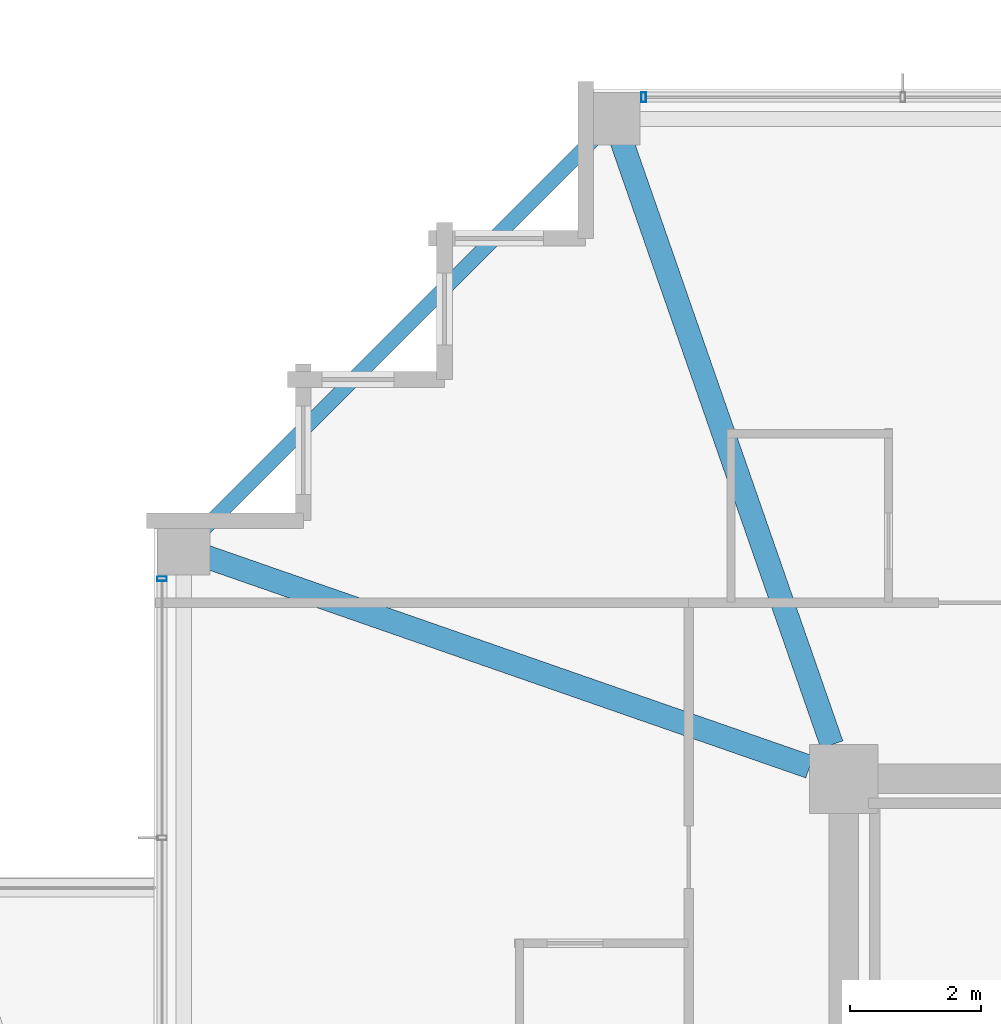
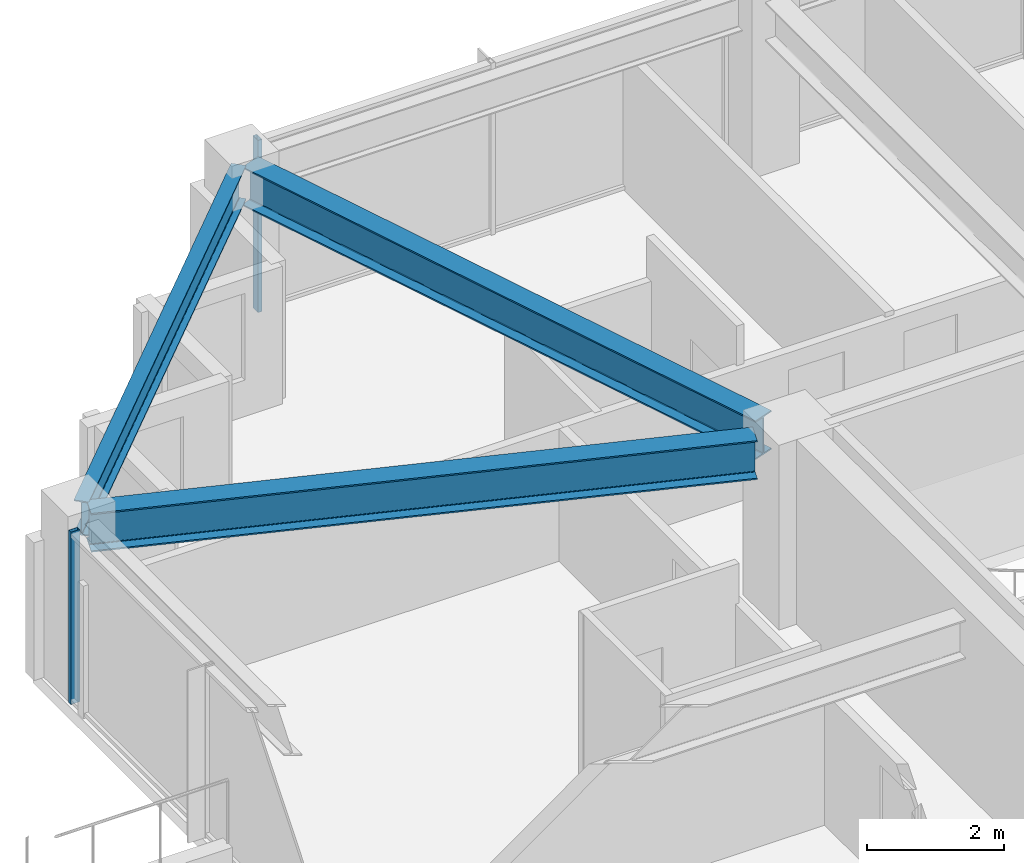
# One storey, part 17 of 35: 3 beams, 2 members, 2 elements without a shape of their own.
"""IFC4 building model written with IfcOpenShell, lengths in metres."""

from ifc_helpers import new_model, si_unit, direction, frame, origin, origin_2d, place, context, subcontext, project, spatial, hollow_rectangle, i_section, extrude, material, material_profile, profile_set, type_object, element, aggregate, save


model = new_model("IFC4")

# Units and contexts
model_context = context("Model", 3, precision=1e-05, world=origin(), true_north=direction((0.0, 1.0)))
body_context = subcontext(model_context, "Body", "Model", "MODEL_VIEW")
ifc_project = project(units=[si_unit("LENGTHUNIT", "METRE"), si_unit("AREAUNIT", "SQUARE_METRE"), si_unit("VOLUMEUNIT", "CUBIC_METRE"), si_unit("PLANEANGLEUNIT", "RADIAN"), si_unit("MASSUNIT", "GRAM", prefix="KILO")], contexts=[model_context])

# Site, building, storey
site_placement = place(None, origin())
site = spatial("IfcSite", under=ifc_project, at=site_placement, CompositionType="ELEMENT")
building_placement = place(site_placement, origin())
building = spatial("IfcBuilding", under=site, at=building_placement, Name="Kolvaren Belvedere", CompositionType="ELEMENT")
storey_placement = place(building_placement, frame((0.0, 0.0, 216.300048828125)))
storey = spatial("IfcBuildingStorey", under=building, at=storey_placement, Name="L63", CompositionType="ELEMENT", Elevation=216.300048828125)

# Beams
ifc_material_1 = material(Name="Structural steel ASTM A992 Grade 50", Category="steel")
ifc_material_profile_1 = material_profile(ifc_material_1, i_section(OverallWidth=0.35498046875, OverallDepth=0.696044921875, WebThickness=0.015380859375, FlangeThickness=0.02490234375, FilletRadius=0.02197265625, at=origin_2d()), Name="W27X146")
ifc_profile_set_1 = profile_set([ifc_material_profile_1], Name="Structural steel ASTM A992 Grade 50")
beam_type_1 = type_object("IfcBeamType", Name="BM-GIRD-W27X146", PredefinedType="BEAM", material=ifc_profile_set_1)
for number, where, z_axis, x_axis, name in (
    (1, (-10.080810546875, 10.41943359375, 2.73193359375), (-0.328898147971, 0.944365399758, 0.0), (-0.944365399758, -0.328898147971, 0.0), "L63 Corner Core-to-Perimeter Girder CC4-N1"),
    (2, (-10.41943359375, 10.080810546875, 2.73193359375), (-0.944365399758, 0.328898147971, 0.0), (-0.328898147971, -0.944365399758, 0.0), "L63 Corner Core-to-Perimeter Girder CC4-W4"),
):
    element("IfcBeam", number, at=place(storey_placement, frame(where, z_axis=z_axis, x_axis=x_axis)), inside=storey, type_object=beam_type_1, Name=name, PredefinedType="BEAM", context=body_context, shape_type="SweptSolid", body=[
        extrude(i_section(OverallWidth=0.35498046875, OverallDepth=0.696044921875, WebThickness=0.015380859375, FlangeThickness=0.02490234375, FilletRadius=0.02197265625, at=origin_2d()), origin(), (0.0, 0.0, 1.0), 9.931884765625),
    ])
ifc_material_2 = material(Name="Structural steel ASTM A992 Grade 50", Category="steel")
ifc_material_profile_2 = material_profile(ifc_material_2, i_section(OverallWidth=0.22900390625, OverallDepth=0.612060546875, WebThickness=0.011962890625, FlangeThickness=0.01953125, FilletRadius=0.01806640625, at=origin_2d()), Name="W24X84")
ifc_profile_set_2 = profile_set([ifc_material_profile_2], Name="Structural steel ASTM A992 Grade 50")
beam_type_2 = type_object("IfcBeamType", Name="BM-SPAN-W24X84", PredefinedType="SPANDREL", material=ifc_profile_set_2)
beam_placement = place(storey_placement, frame((-13.52734375, 19.82275390625, 2.77392578125), z_axis=(-0.707106781187, -0.707106781187, 0.0), x_axis=(0.707106781187, -0.707106781187, 0.0)))
element("IfcBeam", 3, at=beam_placement, inside=storey, type_object=beam_type_2, Name="L63 Perimeter Spandrel N1-W4", PredefinedType="SPANDREL", context=body_context, shape_type="SweptSolid", body=[
    extrude(i_section(OverallWidth=0.22900390625, OverallDepth=0.612060546875, WebThickness=0.011962890625, FlangeThickness=0.01953125, FilletRadius=0.01806640625, at=origin_2d()), origin(), (0.0, 0.0, 1.0), 8.903076171875),
])

# Curtain wall, member
ifc_material_3 = material(Name="Anodised pale-metal aluminium AA 6063-T6", Category="aluminium")
curtain_wall_type = type_object("IfcCurtainWallType", Name="CW-Z5-HIGH", PredefinedType="NOTDEFINED", material=ifc_material_3)
curtain_wall_1_placement = place(storey_placement, origin())
curtain_wall_1 = element("IfcCurtainWall", 4, at=curtain_wall_1_placement, inside=storey, type_object=curtain_wall_type, Name="L63 Unitised Curtain Wall FCW-L63-N-B1", PredefinedType="NOTDEFINED")
ifc_material_4 = material(Name="Anodised pale-metal aluminium AA 6063-T6", Category="aluminium")
ifc_material_profile_3 = material_profile(ifc_material_4, hollow_rectangle(XDim=0.070068359375, YDim=0.14990234375, WallThickness=0.004150390625, at=origin_2d()), Name="ALU-MUL-150X70")
ifc_profile_set_3 = profile_set([ifc_material_profile_3], Name="Anodised pale-metal aluminium AA 6063-T6")
member_type = type_object("IfcMemberType", Name="CW-MUL-150", PredefinedType="MULLION", material=ifc_profile_set_3)
member_1_placement = place(storey_placement, frame((-12.945068359375, 20.280029296875, 0.0), z_axis=(0.0, 0.0, 1.0), x_axis=(1.0, 0.0, 0.0)))
member_1 = element("IfcMember", 5, at=member_1_placement, type_object=member_type, Name="FCW-L63-N-B1 Unitised Mullion 1", PredefinedType="MULLION", context=body_context, shape_type="SweptSolid", body=[
    extrude(hollow_rectangle(XDim=0.070068359375, YDim=0.14990234375, WallThickness=0.004150390625, at=origin_2d()), origin(), (0.0, 0.0, 1.0), 3.079833984375),
])
aggregate(curtain_wall_1, [member_1])

curtain_wall_2_placement = place(storey_placement, origin())
curtain_wall_2 = element("IfcCurtainWall", 6, at=curtain_wall_2_placement, inside=storey, type_object=curtain_wall_type, Name="L63 Unitised Curtain Wall FCW-L63-W2-B2", PredefinedType="NOTDEFINED")
member_2_placement = place(storey_placement, frame((-20.280029296875, 12.945068359375, 0.0), z_axis=(0.0, 0.0, 1.0), x_axis=(0.0, 1.0, 0.0)))
member_2 = element("IfcMember", 7, at=member_2_placement, type_object=member_type, Name="FCW-L63-W2-B2 Unitised Mullion 3", PredefinedType="MULLION", context=body_context, shape_type="SweptSolid", body=[
    extrude(hollow_rectangle(XDim=0.070068359375, YDim=0.14990234375, WallThickness=0.004150390625, at=origin_2d()), origin(), (0.0, 0.0, 1.0), 3.079833984375),
])
aggregate(curtain_wall_2, [member_2])

save(model, "model.ifc")
